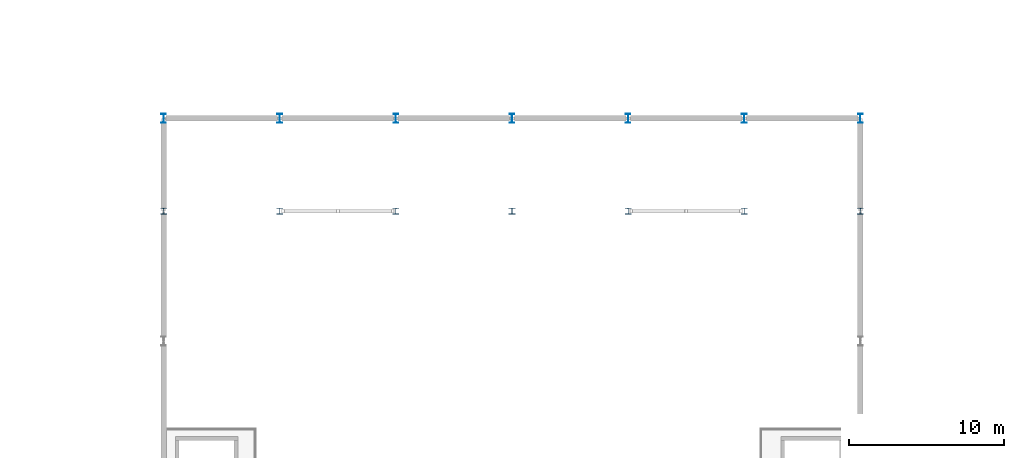
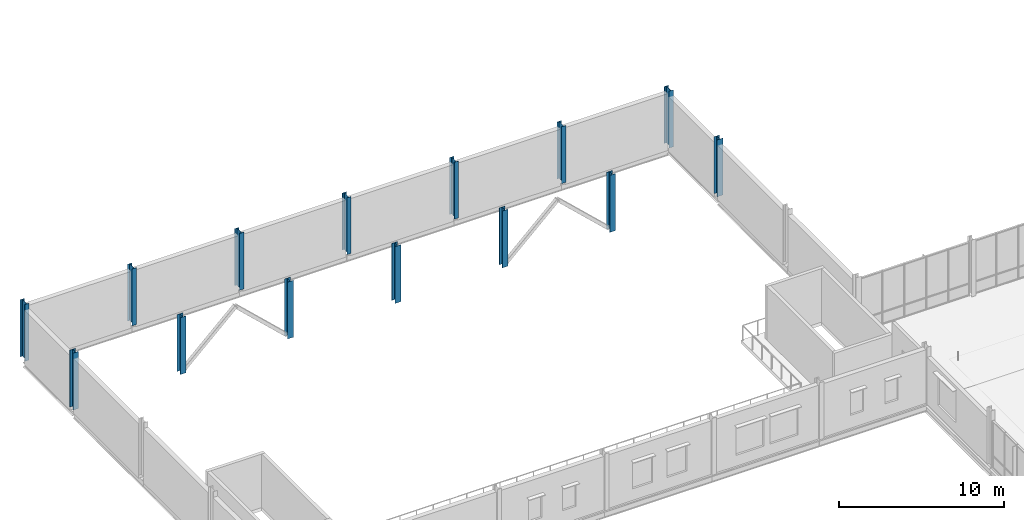
# One storey, part 10 of 75: 14 columns.
"""IFC4 building model written with IfcOpenShell, lengths in metres."""

from ifc_helpers import new_model, si_unit, direction, frame, origin, origin_2d, place, context, subcontext, project, spatial, i_section, extrude, material, material_profile, profile_set, type_object, element, save


model = new_model("IFC4")

# Units and contexts
model_context = context("Model", 3, precision=1e-05, world=origin(), true_north=direction((0.0, 1.0)))
body_context = subcontext(model_context, "Body", "Model", "MODEL_VIEW")
ifc_project = project(units=[si_unit("LENGTHUNIT", "METRE"), si_unit("AREAUNIT", "SQUARE_METRE"), si_unit("VOLUMEUNIT", "CUBIC_METRE"), si_unit("PLANEANGLEUNIT", "RADIAN"), si_unit("MASSUNIT", "GRAM", prefix="KILO")], contexts=[model_context])

# Site, building, storey
site_placement = place(None, origin())
site = spatial("IfcSite", under=ifc_project, at=site_placement, CompositionType="ELEMENT")
building_placement = place(site_placement, origin())
building = spatial("IfcBuilding", under=site, at=building_placement, Name="Yukiwa Park Conservatory and Herbarium", CompositionType="ELEMENT")
storey_placement = place(building_placement, frame((0.0, 0.0, 4.800048828125)))
storey = spatial("IfcBuildingStorey", under=building, at=storey_placement, Name="L01", CompositionType="ELEMENT", Elevation=4.800048828125)

# Columns
ifc_material_1 = material(Name="Steel Q355D", Category="steel")
ifc_material_profile_1 = material_profile(ifc_material_1, i_section(OverallWidth=0.300048828125, OverallDepth=0.587890625, WebThickness=0.011962890625, FlangeThickness=0.02001953125, FilletRadius=0.02392578125, at=origin_2d()), Name="HM 588x300x12x20")
ifc_profile_set_1 = profile_set([ifc_material_profile_1], Name="Steel Q355D")
column_type_1 = type_object("IfcColumnType", Name="COL-AU-HM588-EXT", PredefinedType="COLUMN", material=ifc_profile_set_1)
for number, where, z_axis, x_axis, name in (
    (1, (15.0, 109.199951171875, 0.0), (0.0, 0.0, 1.0), (1.0, 0.0, 0.0), "L01 column V4-X150-Y1092"),
    (2, (22.5, 109.199951171875, 0.0), (0.0, 0.0, 1.0), (1.0, 0.0, 0.0), "L01 column V4-X225-Y1092"),
    (3, (30.0, 109.199951171875, 0.0), (0.0, 0.0, 1.0), (1.0, 0.0, 0.0), "L01 column V4-X300-Y1092"),
    (4, (37.5, 109.199951171875, 0.0), (0.0, 0.0, 1.0), (1.0, 0.0, 0.0), "L01 column V4-X375-Y1092"),
    (5, (45.0, 109.199951171875, 0.0), (0.0, 0.0, 1.0), (1.0, 0.0, 0.0), "L01 column V4-X450-Y1092"),
    (6, (52.5, 109.199951171875, 0.0), (0.0, 0.0, 1.0), (1.0, 0.0, 0.0), "L01 column V4-X525-Y1092"),
    (7, (60.0, 109.199951171875, 0.0), (0.0, 0.0, 1.0), (1.0, 0.0, 0.0), "L01 column V4-X600-Y1092"),
):
    element("IfcColumn", number, at=place(storey_placement, frame(where, z_axis=z_axis, x_axis=x_axis)), inside=storey, type_object=column_type_1, Name=name, PredefinedType="COLUMN", context=body_context, shape_type="SweptSolid", body=[
        extrude(i_section(OverallWidth=0.300048828125, OverallDepth=0.587890625, WebThickness=0.011962890625, FlangeThickness=0.02001953125, FilletRadius=0.02392578125, at=origin_2d()), origin(), (0.0, 0.0, 1.0), 4.199951171875),
    ])
ifc_material_2 = material(Name="Steel Q355D", Category="steel")
ifc_material_profile_2 = material_profile(ifc_material_2, i_section(OverallWidth=0.39990234375, OverallDepth=0.39990234375, WebThickness=0.012939453125, FlangeThickness=0.02099609375, FilletRadius=0.02197265625, at=origin_2d()), Name="HW 400x400x13x21")
ifc_profile_set_2 = profile_set([ifc_material_profile_2], Name="Steel Q355D")
column_type_2 = type_object("IfcColumnType", Name="COL-TW-HW400", PredefinedType="COLUMN", material=ifc_profile_set_2)
for number, where, z_axis, x_axis, name in (
    (8, (15.0, 103.199951171875, 0.0), (0.0, 0.0, 1.0), (1.0, 0.0, 0.0), "L01 column V4-X150-Y1032"),
    (9, (22.5, 103.199951171875, 0.0), (0.0, 0.0, 1.0), (1.0, 0.0, 0.0), "L01 column V4-X225-Y1032"),
    (10, (30.0, 103.199951171875, 0.0), (0.0, 0.0, 1.0), (1.0, 0.0, 0.0), "L01 column V4-X300-Y1032"),
    (11, (37.5, 103.199951171875, 0.0), (0.0, 0.0, 1.0), (1.0, 0.0, 0.0), "L01 column V4-X375-Y1032"),
    (12, (45.0, 103.199951171875, 0.0), (0.0, 0.0, 1.0), (1.0, 0.0, 0.0), "L01 column V4-X450-Y1032"),
    (13, (52.5, 103.199951171875, 0.0), (0.0, 0.0, 1.0), (1.0, 0.0, 0.0), "L01 column V4-X525-Y1032"),
    (14, (60.0, 103.199951171875, 0.0), (0.0, 0.0, 1.0), (1.0, 0.0, 0.0), "L01 column V4-X600-Y1032"),
):
    element("IfcColumn", number, at=place(storey_placement, frame(where, z_axis=z_axis, x_axis=x_axis)), inside=storey, type_object=column_type_2, Name=name, PredefinedType="COLUMN", context=body_context, shape_type="SweptSolid", body=[
        extrude(i_section(OverallWidth=0.39990234375, OverallDepth=0.39990234375, WebThickness=0.012939453125, FlangeThickness=0.02099609375, FilletRadius=0.02197265625, at=origin_2d()), origin(), (0.0, 0.0, 1.0), 4.199951171875),
    ])

save(model, "model.ifc")
